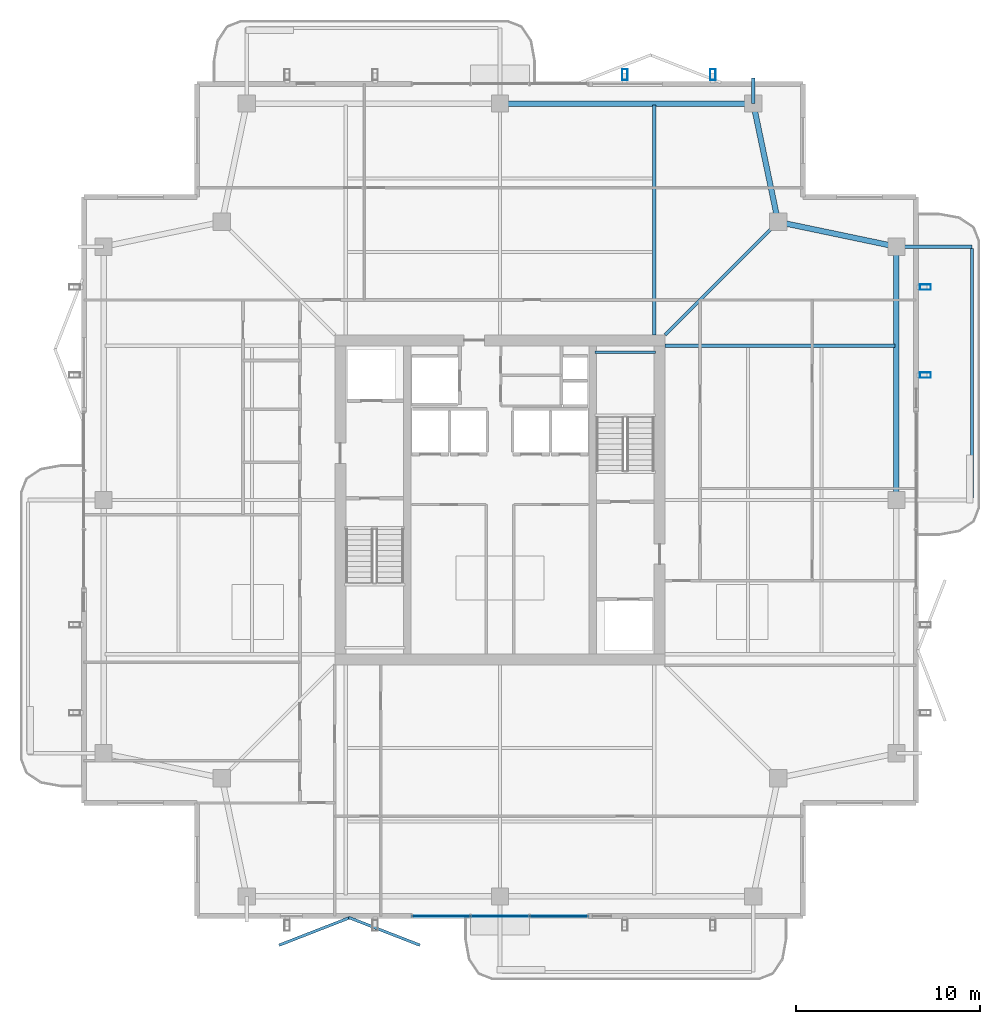
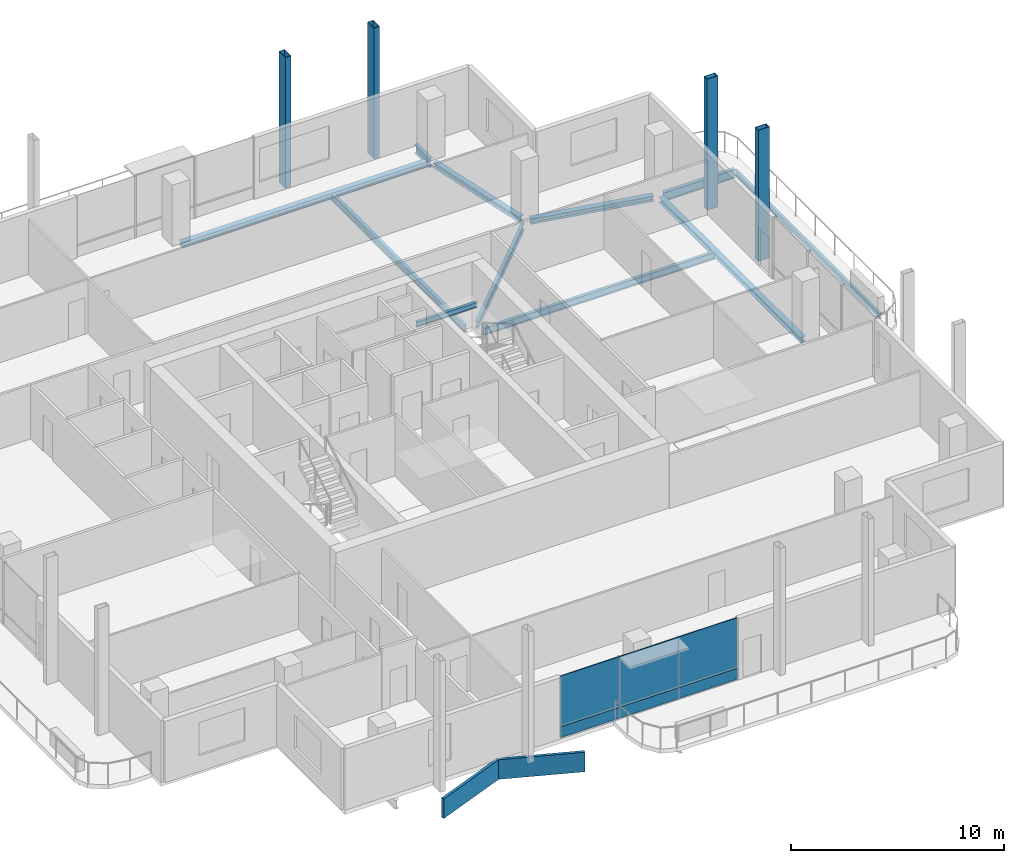
# One storey, part 12 of 20: 11 beams, 8 plates, 4 members, 1 element without a shape of its own.
"""IFC4 building model written with IfcOpenShell, lengths in metres."""

from ifc_helpers import new_model, si_unit, direction, frame, origin, origin_2d, place, context, subcontext, project, spatial, rectangle, hollow_rectangle, i_section, extrude, material, layer, layer_set, material_profile, profile_set, type_object, element, aggregate, save


model = new_model("IFC4")

# Units and contexts
model_context = context("Model", 3, precision=1e-05, world=origin(), true_north=direction((0.0, 1.0)))
body_context = subcontext(model_context, "Body", "Model", "MODEL_VIEW")
ifc_project = project(units=[si_unit("LENGTHUNIT", "METRE"), si_unit("AREAUNIT", "SQUARE_METRE"), si_unit("VOLUMEUNIT", "CUBIC_METRE"), si_unit("PLANEANGLEUNIT", "RADIAN"), si_unit("MASSUNIT", "GRAM", prefix="KILO")], contexts=[model_context])

# Site, building, storey
site_placement = place(None, origin())
site = spatial("IfcSite", under=ifc_project, at=site_placement, CompositionType="ELEMENT")
building_placement = place(site_placement, origin())
building = spatial("IfcBuilding", under=site, at=building_placement, Name="Belovzor Exchange Tower", CompositionType="ELEMENT")
storey_placement = place(building_placement, frame((0.0, 0.0, 306.75)))
storey = spatial("IfcBuildingStorey", under=building, at=storey_placement, Name="L76", CompositionType="ELEMENT", Elevation=306.75)

# Beams
ifc_material_1 = material(Name="Steel S355", Category="steel")
ifc_material_profile_1 = material_profile(ifc_material_1, i_section(OverallWidth=0.199951171875, OverallDepth=0.5, WebThickness=0.01025390625, FlangeThickness=0.01611328125, at=origin_2d()))
ifc_profile_set_1 = profile_set([ifc_material_profile_1], Name="Steel S355")
beam_type_1 = type_object("IfcBeamType", Name="Planted Balcony Cantilever Beam IPE 500", PredefinedType="BEAM", material=ifc_profile_set_1)
beam_1_placement = place(storey_placement, frame((50.660888671875, 42.60009765625, -0.489990234375), z_axis=(1.0, 0.0, 0.0), x_axis=(0.0, 1.0, 0.0)))
element("IfcBeam", 1, at=beam_1_placement, inside=storey, type_object=beam_type_1, Name="BC-500 Planted Balcony Cantilever Beam IPE 500", PredefinedType="BEAM", context=body_context, shape_type="SweptSolid", body=[
    extrude(i_section(OverallWidth=0.199951171875, OverallDepth=0.5, WebThickness=0.01025390625, FlangeThickness=0.01611328125, at=origin_2d()), origin(), (0.0, 0.0, 1.0), 3.85009765625),
])
beam_2_placement = place(storey_placement, frame((42.60009765625, 50.39990234375, -0.489990234375), z_axis=(0.0, 1.0, 0.0), x_axis=(-1.0, 0.0, 0.0)))
element("IfcBeam", 2, at=beam_2_placement, inside=storey, type_object=beam_type_1, Name="BC-500 Planted Balcony Cantilever Beam IPE 500", PredefinedType="BEAM", context=body_context, shape_type="SweptSolid", body=[
    extrude(i_section(OverallWidth=0.199951171875, OverallDepth=0.5, WebThickness=0.01025390625, FlangeThickness=0.01611328125, at=origin_2d()), origin(), (0.0, 0.0, 1.0), 1.400146484375),
])
ifc_material_2 = material(Name="Steel S355", Category="steel")
ifc_material_profile_2 = material_profile(ifc_material_2, i_section(OverallWidth=0.14990234375, OverallDepth=0.300048828125, WebThickness=0.007080078125, FlangeThickness=0.0107421875, at=origin_2d()))
ifc_profile_set_2 = profile_set([ifc_material_profile_2], Name="Steel S355")
beam_type_2 = type_object("IfcBeamType", Name="Planted Balcony Fascia Edge Beam IPE 300", PredefinedType="BEAM", material=ifc_profile_set_2)
beam_3_placement = place(storey_placement, frame((54.510986328125, 28.89990234375, -0.389892578125), z_axis=(0.0, 1.0, 0.0), x_axis=(-1.0, 0.0, 0.0)))
element("IfcBeam", 3, at=beam_3_placement, inside=storey, type_object=beam_type_2, Name="BC-300 Planted Balcony Fascia Edge Beam IPE 300", PredefinedType="BEAM", context=body_context, shape_type="SweptSolid", body=[
    extrude(i_section(OverallWidth=0.14990234375, OverallDepth=0.300048828125, WebThickness=0.007080078125, FlangeThickness=0.0107421875, at=origin_2d()), origin(), (0.0, 0.0, 1.0), 13.60009765625),
])
ifc_material_3 = material(Name="Steel S355", Category="steel")
ifc_material_profile_3 = material_profile(ifc_material_3, i_section(OverallWidth=0.14990234375, OverallDepth=0.300048828125, WebThickness=0.007080078125, FlangeThickness=0.0107421875, at=origin_2d()))
ifc_profile_set_3 = profile_set([ifc_material_profile_3], Name="Steel S355")
beam_type_3 = type_object("IfcBeamType", Name="Secondary Trim Floor Joist IPE 300", PredefinedType="BEAM", material=ifc_profile_set_3)
beam_4_placement = place(storey_placement, frame((37.280029296875, 36.85009765625, 1.52490234375), z_axis=(-1.0, 0.0, 0.0), x_axis=(0.0, -1.0, 0.0)))
element("IfcBeam", 4, at=beam_4_placement, inside=storey, type_object=beam_type_3, Name="FJ-300 Secondary Trim Floor Joist IPE 300", PredefinedType="BEAM", context=body_context, shape_type="SweptSolid", body=[
    extrude(i_section(OverallWidth=0.14990234375, OverallDepth=0.300048828125, WebThickness=0.007080078125, FlangeThickness=0.0107421875, at=origin_2d()), origin(), (0.0, 0.0, 1.0), 3.31005859375),
])

# Members
ifc_material_4 = material(Name="Extruded Architectural Terracotta on Steel S355 Carrier", Category="masonry")
ifc_material_profile_4 = material_profile(ifc_material_4, hollow_rectangle(XDim=0.300048828125, YDim=0.60009765625, WallThickness=0.01611328125, at=origin_2d()))
ifc_profile_set_4 = profile_set([ifc_material_profile_4], Name="Extruded Architectural Terracotta on Steel S355 Carrier")
member_type = type_object("IfcMemberType", Name="Upper Crown Terracotta Fin Assembly 550", PredefinedType="USERDEFINED", material=ifc_profile_set_4)
for number, where, z_axis, x_axis, name in (
    (5, (35.60009765625, 51.97509765625, -0.239990234375), (0.0, 0.0, 1.0), (1.0, 0.0, 0.0), "FIN-TC055 Terracotta Facade Fin L76 N3"),
    (6, (51.97509765625, 35.60009765625, -0.239990234375), (0.0, 0.0, 1.0), (0.0, 1.0, 0.0), "FIN-TC055 Terracotta Facade Fin L76 E3"),
    (7, (40.39990234375, 51.97509765625, -0.239990234375), (0.0, 0.0, 1.0), (1.0, 0.0, 0.0), "FIN-TC055 Terracotta Facade Fin L76 N4"),
    (8, (51.97509765625, 40.39990234375, -0.239990234375), (0.0, 0.0, 1.0), (0.0, 1.0, 0.0), "FIN-TC055 Terracotta Facade Fin L76 E4"),
):
    element("IfcMember", number, at=place(storey_placement, frame(where, z_axis=z_axis, x_axis=x_axis)), inside=storey, type_object=member_type, Name=name, ObjectType="FIN", PredefinedType="USERDEFINED", context=body_context, shape_type="SweptSolid", body=[
        extrude(hollow_rectangle(XDim=0.300048828125, YDim=0.60009765625, WallThickness=0.01611328125, at=origin_2d()), origin(), (0.0, 0.0, 1.0), 7.5),
    ])

# Beams
ifc_material_5 = material(Name="Steel S355", Category="steel")
ifc_material_profile_5 = material_profile(ifc_material_5, i_section(OverallWidth=0.179931640625, OverallDepth=0.39990234375, WebThickness=0.008544921875, FlangeThickness=0.013427734375, at=origin_2d()))
ifc_profile_set_5 = profile_set([ifc_material_profile_5], Name="Steel S355")
beam_type_4 = type_object("IfcBeamType", Name="Zone 5-6 Radial Composite Floor Beam IPE 400", PredefinedType="BEAM", material=ifc_profile_set_5)
for number, where, z_axis, x_axis, name in (
    (9, (37.199951171875, 37.800048828125, -0.43994140625), (0.0, 1.0, 0.0), (-1.0, 0.0, 0.0), "FB-400 Zone 5-6 Radial Composite Floor Beam IPE 400"),
    (10, (37.800048828125, 37.199951171875, -0.43994140625), (1.0, 0.0, 0.0), (0.0, 1.0, 0.0), "FB-400 Zone 5-6 Radial Composite Floor Beam IPE 400"),
):
    element("IfcBeam", number, at=place(storey_placement, frame(where, z_axis=z_axis, x_axis=x_axis)), inside=storey, type_object=beam_type_4, Name=name, PredefinedType="BEAM", context=body_context, shape_type="SweptSolid", body=[
        extrude(i_section(OverallWidth=0.179931640625, OverallDepth=0.39990234375, WebThickness=0.008544921875, FlangeThickness=0.013427734375, at=origin_2d()), origin(), (0.0, 0.0, 1.0), 12.52490234375),
    ])
beam_5_placement = place(storey_placement, frame((37.800048828125, 37.800048828125, -0.43994140625), z_axis=(0.707106781187, 0.707106781187, 0.0), x_axis=(-0.707106781187, 0.707106781187, 0.0)))
element("IfcBeam", 11, at=beam_5_placement, inside=storey, type_object=beam_type_4, Name="FB-400 Zone 5-6 Radial Composite Floor Beam IPE 400", PredefinedType="BEAM", context=body_context, shape_type="SweptSolid", body=[
    extrude(i_section(OverallWidth=0.179931640625, OverallDepth=0.39990234375, WebThickness=0.008544921875, FlangeThickness=0.013427734375, at=origin_2d()), origin(), (0.0, 0.0, 1.0), 8.362060546875),
])
ifc_material_6 = material(Name="Steel S355", Category="steel")
ifc_material_profile_6 = material_profile(ifc_material_6, i_section(OverallWidth=0.300048828125, OverallDepth=0.300048828125, WebThickness=0.008544921875, FlangeThickness=0.013916015625, at=origin_2d()))
ifc_profile_set_6 = profile_set([ifc_material_profile_6], Name="Steel S355")
beam_type_5 = type_object("IfcBeamType", Name="Zone 6 Primary Girder HEA 300", PredefinedType="BEAM", material=ifc_profile_set_6)
beam_6_placement = place(storey_placement, frame((50.39990234375, 29.06103515625, -0.389892578125), z_axis=(0.0, 1.0, 0.0), x_axis=(-1.0, 0.0, 0.0)))
element("IfcBeam", 12, at=beam_6_placement, inside=storey, type_object=beam_type_5, Name="FG-Z6 Zone 6 Primary Girder HEA 300", PredefinedType="BEAM", context=body_context, shape_type="SweptSolid", body=[
    extrude(i_section(OverallWidth=0.300048828125, OverallDepth=0.300048828125, WebThickness=0.008544921875, FlangeThickness=0.013916015625, at=origin_2d()), origin(), (0.0, 0.0, 1.0), 13.278076171875),
])
for number, where, z_axis, x_axis, name in (
    (13, (50.14404296875, 42.654052734375, -0.389892578125), (-0.978820078908, 0.204722380619, 0.0), (-0.204722380619, -0.978820078908, 0.0), "FG-Z6 Zone 6 Primary Girder HEA 300"),
    (14, (43.89599609375, 44.2060546875, -0.389892578125), (-0.204722380619, 0.978820078908, 0.0), (-0.978820078908, -0.204722380619, 0.0), "FG-Z6 Zone 6 Primary Girder HEA 300"),
):
    element("IfcBeam", number, at=place(storey_placement, frame(where, z_axis=z_axis, x_axis=x_axis)), inside=storey, type_object=beam_type_5, Name=name, PredefinedType="BEAM", context=body_context, shape_type="SweptSolid", body=[
        extrude(i_section(OverallWidth=0.300048828125, OverallDepth=0.300048828125, WebThickness=0.008544921875, FlangeThickness=0.013916015625, at=origin_2d()), origin(), (0.0, 0.0, 1.0), 6.06640625),
    ])
beam_7_placement = place(storey_placement, frame((42.339111328125, 50.39990234375, -0.389892578125), z_axis=(-1.0, 0.0, 0.0), x_axis=(0.0, -1.0, 0.0)))
element("IfcBeam", 15, at=beam_7_placement, inside=storey, type_object=beam_type_5, Name="FG-Z6 Zone 6 Primary Girder HEA 300", PredefinedType="BEAM", context=body_context, shape_type="SweptSolid", body=[
    extrude(i_section(OverallWidth=0.300048828125, OverallDepth=0.300048828125, WebThickness=0.008544921875, FlangeThickness=0.013916015625, at=origin_2d()), origin(), (0.0, 0.0, 1.0), 13.278076171875),
])

# Curtain wall, plates
ifc_material_7 = material(Name="Anodised Aluminium Framing", Category="aluminium")
ifc_layer_1 = layer(ifc_material_7, 0.179931640625)
ifc_layer_set_1 = layer_set([ifc_layer_1], Name="Anodised Aluminium Framing")
curtain_wall_type = type_object("IfcCurtainWallType", Name="Recessed Loggia Low-Iron Triple-Glazed Curtain Wall", PredefinedType="NOTDEFINED", material=ifc_layer_set_1)
curtain_wall_placement = place(storey_placement, origin())
curtain_wall = element("IfcCurtainWall", 16, at=curtain_wall_placement, inside=storey, type_object=curtain_wall_type, Name="CW3 Recessed Loggia Low-Iron Triple-Glazed Curtain Wall L76", PredefinedType="NOTDEFINED")
ifc_material_8 = material(Name="Solar-Control Triple Glazing", Category="glass")
ifc_layer_2 = layer(ifc_material_8, 0.0439453125)
ifc_layer_set_2 = layer_set([ifc_layer_2], Name="Solar-Control Triple Glazing")
plate_type_1 = type_object("IfcPlateType", Name="Insulated Solar Glazing Curtain Panel 44", PredefinedType="CURTAIN_PANEL", material=ifc_layer_set_2)
plate_1_placement = place(storey_placement, frame((32.0, 6.1298828125, 0.634033203125), z_axis=(0.0, 0.0, 1.0), x_axis=(-1.0, 0.0, 0.0)))
plate_1 = element("IfcPlate", 17, at=plate_1_placement, type_object=plate_type_1, Name="GLZ-44 Glazed Curtain Panel 1", PredefinedType="CURTAIN_PANEL", context=body_context, shape_type="SweptSolid", body=[
    extrude(rectangle(XDim=3.18408203125, YDim=0.0439453125, at=origin_2d()), origin(), (0.0, 0.0, 1.0), 2.8759765625),
])
plate_2_placement = place(storey_placement, frame((28.800048828125, 6.1298828125, 0.634033203125), z_axis=(0.0, 0.0, 1.0), x_axis=(-1.0, 0.0, 0.0)))
plate_2 = element("IfcPlate", 18, at=plate_2_placement, type_object=plate_type_1, Name="GLZ-44 Glazed Curtain Panel 2", PredefinedType="CURTAIN_PANEL", context=body_context, shape_type="SweptSolid", body=[
    extrude(rectangle(XDim=3.18408203125, YDim=0.0439453125, at=origin_2d()), origin(), (0.0, 0.0, 1.0), 2.8759765625),
])
plate_3_placement = place(storey_placement, frame((25.60009765625, 6.1298828125, 0.634033203125), z_axis=(0.0, 0.0, 1.0), x_axis=(-1.0, 0.0, 0.0)))
plate_3 = element("IfcPlate", 19, at=plate_3_placement, type_object=plate_type_1, Name="GLZ-44 Glazed Curtain Panel 3", PredefinedType="CURTAIN_PANEL", context=body_context, shape_type="SweptSolid", body=[
    extrude(rectangle(XDim=3.18408203125, YDim=0.0439453125, at=origin_2d()), origin(), (0.0, 0.0, 1.0), 2.8759765625),
])
ifc_material_9 = material(Name="Extruded Architectural Terracotta", Category="masonry")
ifc_layer_3 = layer(ifc_material_9, 0.090087890625)
ifc_layer_set_3 = layer_set([ifc_layer_3], Name="Extruded Architectural Terracotta")
plate_type_2 = type_object("IfcPlateType", Name="Terracotta Shadow-Box Spandrel Panel 90", PredefinedType="CURTAIN_PANEL", material=ifc_layer_set_3)
plate_4_placement = place(storey_placement, frame((32.0, 6.1298828125, 0.0), z_axis=(0.0, 0.0, 1.0), x_axis=(-1.0, 0.0, 0.0)))
plate_4 = element("IfcPlate", 20, at=plate_4_placement, type_object=plate_type_2, Name="SPD-90 Spandrel Panel 1", PredefinedType="CURTAIN_PANEL", context=body_context, shape_type="SweptSolid", body=[
    extrude(rectangle(XDim=3.18408203125, YDim=0.090087890625, at=origin_2d()), origin(), (0.0, 0.0, 1.0), 0.6298828125),
])
plate_5_placement = place(storey_placement, frame((28.800048828125, 6.1298828125, 0.0), z_axis=(0.0, 0.0, 1.0), x_axis=(-1.0, 0.0, 0.0)))
plate_5 = element("IfcPlate", 21, at=plate_5_placement, type_object=plate_type_2, Name="SPD-90 Spandrel Panel 2", PredefinedType="CURTAIN_PANEL", context=body_context, shape_type="SweptSolid", body=[
    extrude(rectangle(XDim=3.18408203125, YDim=0.090087890625, at=origin_2d()), origin(), (0.0, 0.0, 1.0), 0.6298828125),
])
plate_6_placement = place(storey_placement, frame((25.60009765625, 6.1298828125, 0.0), z_axis=(0.0, 0.0, 1.0), x_axis=(-1.0, 0.0, 0.0)))
plate_6 = element("IfcPlate", 22, at=plate_6_placement, type_object=plate_type_2, Name="SPD-90 Spandrel Panel 3", PredefinedType="CURTAIN_PANEL", context=body_context, shape_type="SweptSolid", body=[
    extrude(rectangle(XDim=3.18408203125, YDim=0.090087890625, at=origin_2d()), origin(), (0.0, 0.0, 1.0), 0.6298828125),
])
aggregate(curtain_wall, [plate_4, plate_1, plate_5, plate_2, plate_6, plate_3])

# Plates
ifc_material_10 = material(Name="Extruded Architectural Terracotta", Category="masonry")
ifc_layer_4 = layer(ifc_material_10, 0.14990234375)
ifc_layer_set_4 = layer_set([ifc_layer_4], Name="Extruded Architectural Terracotta")
plate_type_3 = type_object("IfcPlateType", Name="Upper-Crown Deep Folded Zigzag Terracotta Spandrel Louvre 150", PredefinedType="USERDEFINED", material=ifc_layer_set_4)
for number, where, z_axis, x_axis, name in (
    (23, (18.699951171875, 5.300048828125, -1.10498046875), (0.0, 0.0, 1.0), (0.931817969421, 0.362925986758, 0.0), "LVR-ZZ3 Zigzag Terracotta Spandrel Louvre L76 S1A"),
    (24, (22.5, 5.300048828125, -1.10498046875), (0.0, 0.0, 1.0), (0.931817969421, -0.362925986758, 0.0), "LVR-ZZ3 Zigzag Terracotta Spandrel Louvre L76 S1B"),
):
    element("IfcPlate", number, at=place(storey_placement, frame(where, z_axis=z_axis, x_axis=x_axis)), inside=storey, type_object=plate_type_3, Name=name, ObjectType="SPANDREL_LOUVRE", PredefinedType="USERDEFINED", context=body_context, shape_type="SweptSolid", body=[
        extrude(rectangle(XDim=4.157958984375, YDim=0.14990234375, at=origin_2d()), origin(), (0.0, 0.0, 1.0), 1.1201171875),
    ])

save(model, "model.ifc")
